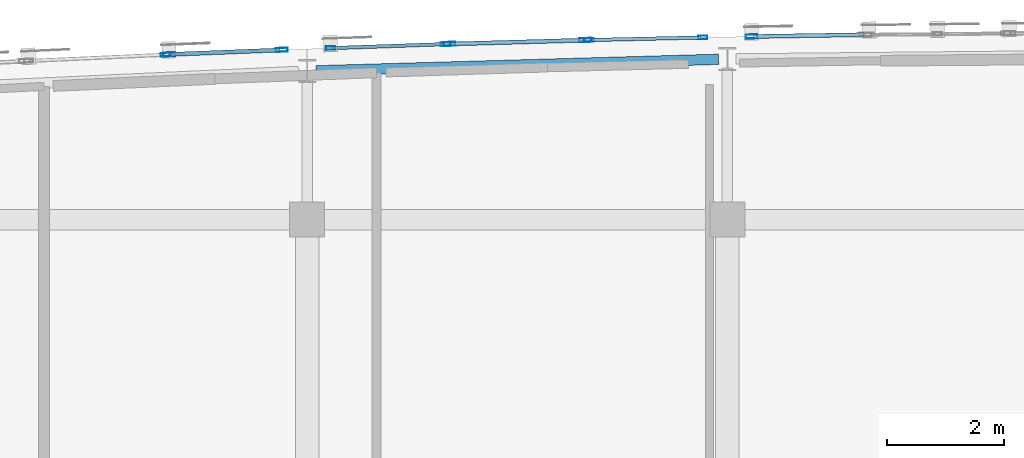
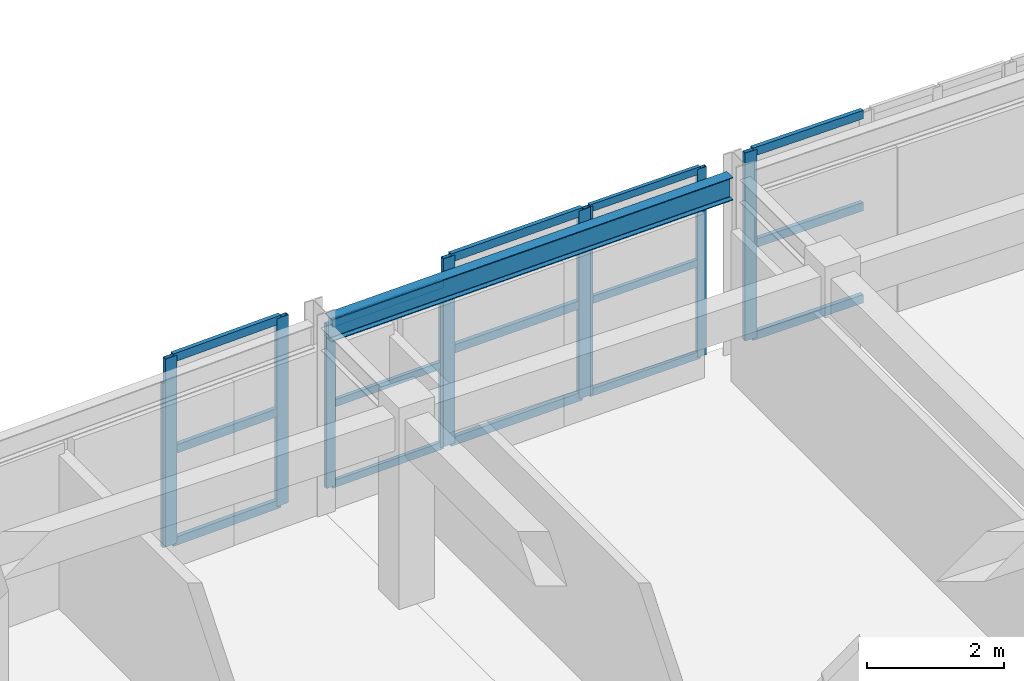
# One storey, part 15 of 51: 25 members, 1 beam, 6 elements without a shape of their own.
"""IFC4 building model written with IfcOpenShell, lengths in metres."""

from ifc_helpers import new_model, si_unit, direction, frame, origin, origin_2d, place, context, subcontext, project, spatial, hollow_rectangle, i_section, extrude, material, layer, layer_set, material_profile, profile_set, type_object, element, aggregate, save


model = new_model("IFC4")

# Units and contexts
model_context = context("Model", 3, precision=1e-05, world=origin(), true_north=direction((0.0, 1.0)))
body_context = subcontext(model_context, "Body", "Model", "MODEL_VIEW")
ifc_project = project(units=[si_unit("LENGTHUNIT", "METRE"), si_unit("AREAUNIT", "SQUARE_METRE"), si_unit("VOLUMEUNIT", "CUBIC_METRE"), si_unit("PLANEANGLEUNIT", "RADIAN"), si_unit("MASSUNIT", "GRAM", prefix="KILO")], contexts=[model_context])

# Site, building, storey
site_placement = place(None, origin())
site = spatial("IfcSite", under=ifc_project, at=site_placement, CompositionType="ELEMENT")
building_placement = place(site_placement, origin())
building = spatial("IfcBuilding", under=site, at=building_placement, Name="Carrowvane Square Congress Hotel", CompositionType="ELEMENT")
storey_placement = place(building_placement, frame((0.0, 0.0, 30.0)))
storey = spatial("IfcBuildingStorey", under=building, at=storey_placement, Name="L07", CompositionType="ELEMENT", Elevation=30.0)

# Beam
ifc_material_1 = material(Name="Steel S355", Category="steel")
ifc_material_profile_1 = material_profile(ifc_material_1, i_section(OverallWidth=0.1787109375, OverallDepth=0.409423828125, WebThickness=0.0087890625, FlangeThickness=0.014404296875, FilletRadius=0.01025390625, at=origin_2d()), Name="UKB 406x178x67")
ifc_profile_set_1 = profile_set([ifc_material_profile_1], Name="Steel S355")
beam_type = type_object("IfcBeamType", Name="BM-ST-UKB406", PredefinedType="BEAM", material=ifc_profile_set_1)
beam_placement = place(storey_placement, frame((83.75, 115.9482421875, 3.1552734375), z_axis=(0.999591595899, 0.028576938382, 0.0), x_axis=(-0.028576938382, 0.999591595899, 0.0)))
element("IfcBeam", 1, at=beam_placement, inside=storey, type_object=beam_type, Name="L08 curved north spandrel", PredefinedType="BEAM", context=body_context, shape_type="SweptSolid", body=[
    extrude(i_section(OverallWidth=0.1787109375, OverallDepth=0.409423828125, WebThickness=0.0087890625, FlangeThickness=0.014404296875, FilletRadius=0.01025390625, at=origin_2d()), origin(), (0.0, 0.0, 1.0), 6.903076171875),
])

# Curtain wall, member
ifc_material_2 = material(Name="Anodised aluminium", Category="aluminium")
ifc_layer_1 = layer(ifc_material_2, 0.162109375)
ifc_layer_set_1 = layer_set([ifc_layer_1], Name="Anodised aluminium")
curtain_wall_type_1 = type_object("IfcCurtainWallType", Name="CW-SYS-1", PredefinedType="NOTDEFINED", material=ifc_layer_set_1)
curtain_wall_1_placement = place(storey_placement, origin())
curtain_wall_1 = element("IfcCurtainWall", 2, at=curtain_wall_1_placement, inside=storey, type_object=curtain_wall_type_1, Name="L07 unitised curtain wall 424", PredefinedType="NOTDEFINED")
ifc_material_3 = material(Name="Anodised aluminium", Category="aluminium")
ifc_material_profile_2 = material_profile(ifc_material_3, hollow_rectangle(XDim=0.06005859375, YDim=0.159912109375, WallThickness=0.00390625, at=origin_2d()), Name="CW-ML 60x160x4")
ifc_profile_set_2 = profile_set([ifc_material_profile_2], Name="Anodised aluminium")
member_type_1 = type_object("IfcMemberType", Name="CW-MUL-1", PredefinedType="MULLION", material=ifc_profile_set_2)
member_1_placement = place(storey_placement, frame((81.170166015625, 116.226318359375, 0.0), z_axis=(0.0, 0.0, 1.0), x_axis=(-0.045411059449, 0.998968385726, 0.0)))
member_1 = element("IfcMember", 3, at=member_1_placement, type_object=member_type_1, Name="CW-1 mullion 2", PredefinedType="MULLION", context=body_context, shape_type="SweptSolid", body=[
    extrude(hollow_rectangle(XDim=0.06005859375, YDim=0.159912109375, WallThickness=0.00390625, at=origin_2d()), origin(), (0.0, 0.0, 1.0), 2.935546875),
])
aggregate(curtain_wall_1, [member_1])

# Curtain wall, members
ifc_material_4 = material(Name="Anodised aluminium", Category="aluminium")
ifc_layer_2 = layer(ifc_material_4, 0.18603515625)
ifc_layer_set_2 = layer_set([ifc_layer_2], Name="Anodised aluminium")
curtain_wall_type_2 = type_object("IfcCurtainWallType", Name="CW-SYS-3", PredefinedType="NOTDEFINED", material=ifc_layer_set_2)
curtain_wall_2_placement = place(storey_placement, origin())
curtain_wall_2 = element("IfcCurtainWall", 4, at=curtain_wall_2_placement, inside=storey, type_object=curtain_wall_type_2, Name="L07 unitised curtain wall 426", PredefinedType="NOTDEFINED")
member_2_placement = place(storey_placement, frame((84.00048828125, 116.337890625, 0.0), z_axis=(0.0, 0.0, 1.0), x_axis=(-0.034526729036, 0.999403774749, 0.0)))
member_2 = element("IfcMember", 5, at=member_2_placement, type_object=member_type_1, Name="CW-3 mullion 1", PredefinedType="MULLION", context=body_context, shape_type="SweptSolid", body=[
    extrude(hollow_rectangle(XDim=0.06005859375, YDim=0.159912109375, WallThickness=0.00390625, at=origin_2d()), origin(), (0.0, 0.0, 1.0), 2.935546875),
])
member_3_placement = place(storey_placement, frame((85.969970703125, 116.406005859375, 0.0), z_axis=(0.0, 0.0, 1.0), x_axis=(-0.034526729036, 0.999403774749, 0.0)))
member_3 = element("IfcMember", 6, at=member_3_placement, type_object=member_type_1, Name="CW-3 mullion 2", PredefinedType="MULLION", context=body_context, shape_type="SweptSolid", body=[
    extrude(hollow_rectangle(XDim=0.06005859375, YDim=0.159912109375, WallThickness=0.00390625, at=origin_2d()), origin(), (0.0, 0.0, 1.0), 2.935546875),
])

ifc_material_5 = material(Name="Anodised aluminium", Category="aluminium")
ifc_layer_3 = layer(ifc_material_5, 0.2099609375)
ifc_layer_set_3 = layer_set([ifc_layer_3], Name="Anodised aluminium")
curtain_wall_type_3 = type_object("IfcCurtainWallType", Name="CW-SYS-5", PredefinedType="NOTDEFINED", material=ifc_layer_set_3)
curtain_wall_3_placement = place(storey_placement, origin())
curtain_wall_3 = element("IfcCurtainWall", 7, at=curtain_wall_3_placement, inside=storey, type_object=curtain_wall_type_3, Name="L07 unitised curtain wall 428", PredefinedType="NOTDEFINED")
member_4_placement = place(storey_placement, frame((88.429931640625, 116.476318359375, 0.0), z_axis=(0.0, 0.0, 1.0), x_axis=(-0.022517686606, 0.99974644475, 0.0)))
member_4 = element("IfcMember", 8, at=member_4_placement, type_object=member_type_1, Name="CW-5 mullion 1", PredefinedType="MULLION", context=body_context, shape_type="SweptSolid", body=[
    extrude(hollow_rectangle(XDim=0.06005859375, YDim=0.159912109375, WallThickness=0.00390625, at=origin_2d()), origin(), (0.0, 0.0, 1.0), 3.360107421875),
])
member_5_placement = place(storey_placement, frame((90.377685546875, 116.520263671875, 0.0), z_axis=(0.0, 0.0, 1.0), x_axis=(-0.022517686606, 0.99974644475, 0.0)))
member_5 = element("IfcMember", 9, at=member_5_placement, type_object=member_type_1, Name="CW-5 mullion 2", PredefinedType="MULLION", context=body_context, shape_type="SweptSolid", body=[
    extrude(hollow_rectangle(XDim=0.06005859375, YDim=0.159912109375, WallThickness=0.00390625, at=origin_2d()), origin(), (0.0, 0.0, 1.0), 3.360107421875),
])

ifc_material_6 = material(Name="Anodised aluminium", Category="aluminium")
ifc_layer_4 = layer(ifc_material_6, 0.174072265625)
ifc_layer_set_4 = layer_set([ifc_layer_4], Name="Anodised aluminium")
curtain_wall_type_4 = type_object("IfcCurtainWallType", Name="CW-SYS-2", PredefinedType="NOTDEFINED", material=ifc_layer_set_4)
curtain_wall_4_placement = place(storey_placement, origin())
curtain_wall_4 = element("IfcCurtainWall", 10, at=curtain_wall_4_placement, inside=storey, type_object=curtain_wall_type_4, Name="L07 unitised curtain wall 425", PredefinedType="NOTDEFINED")
ifc_material_7 = material(Name="Anodised aluminium", Category="aluminium")
ifc_material_profile_3 = material_profile(ifc_material_7, hollow_rectangle(XDim=0.070068359375, YDim=0.199951171875, WallThickness=0.0048828125, at=origin_2d()), Name="CW-ML 70x200x5")
ifc_profile_set_3 = profile_set([ifc_material_profile_3], Name="Anodised aluminium")
member_type_2 = type_object("IfcMemberType", Name="CW-MUL-2", PredefinedType="MULLION", material=ifc_profile_set_3)
member_6_placement = place(storey_placement, frame((81.23486328125, 116.22900390625, 0.0), z_axis=(0.0, 0.0, 1.0), x_axis=(-0.040135742379, 0.999194236464, 0.0)))
member_6 = element("IfcMember", 11, at=member_6_placement, type_object=member_type_2, Name="CW-2 mullion 1", PredefinedType="MULLION", context=body_context, shape_type="SweptSolid", body=[
    extrude(hollow_rectangle(XDim=0.070068359375, YDim=0.199951171875, WallThickness=0.0048828125, at=origin_2d()), origin(), (0.0, 0.0, 1.0), 3.360107421875),
])
member_7_placement = place(storey_placement, frame((83.166015625, 116.306640625, 0.0), z_axis=(0.0, 0.0, 1.0), x_axis=(-0.040135742379, 0.999194236464, 0.0)))
member_7 = element("IfcMember", 12, at=member_7_placement, type_object=member_type_2, Name="CW-2 mullion 2", PredefinedType="MULLION", context=body_context, shape_type="SweptSolid", body=[
    extrude(hollow_rectangle(XDim=0.070068359375, YDim=0.199951171875, WallThickness=0.0048828125, at=origin_2d()), origin(), (0.0, 0.0, 1.0), 3.360107421875),
])

ifc_material_8 = material(Name="Anodised aluminium", Category="aluminium")
ifc_layer_5 = layer(ifc_material_8, 0.197998046875)
ifc_layer_set_5 = layer_set([ifc_layer_5], Name="Anodised aluminium")
curtain_wall_type_5 = type_object("IfcCurtainWallType", Name="CW-SYS-4", PredefinedType="NOTDEFINED", material=ifc_layer_set_5)
curtain_wall_5_placement = place(storey_placement, origin())
curtain_wall_5 = element("IfcCurtainWall", 13, at=curtain_wall_5_placement, inside=storey, type_object=curtain_wall_type_5, Name="L07 unitised curtain wall 427", PredefinedType="NOTDEFINED")
member_8_placement = place(storey_placement, frame((86.034912109375, 116.407958984375, 0.0), z_axis=(0.0, 0.0, 1.0), x_axis=(-0.028638010501, 0.999589848065, 0.0)))
member_8 = element("IfcMember", 14, at=member_8_placement, type_object=member_type_2, Name="CW-4 mullion 1", PredefinedType="MULLION", context=body_context, shape_type="SweptSolid", body=[
    extrude(hollow_rectangle(XDim=0.070068359375, YDim=0.199951171875, WallThickness=0.0048828125, at=origin_2d()), origin(), (0.0, 0.0, 1.0), 3.360107421875),
])
member_9_placement = place(storey_placement, frame((88.364990234375, 116.474609375, 0.0), z_axis=(0.0, 0.0, 1.0), x_axis=(-0.028638010501, 0.999589848065, 0.0)))
member_9 = element("IfcMember", 15, at=member_9_placement, type_object=member_type_2, Name="CW-4 mullion 2", PredefinedType="MULLION", context=body_context, shape_type="SweptSolid", body=[
    extrude(hollow_rectangle(XDim=0.070068359375, YDim=0.199951171875, WallThickness=0.0048828125, at=origin_2d()), origin(), (0.0, 0.0, 1.0), 3.360107421875),
])

# Curtain wall, member
ifc_material_9 = material(Name="Anodised aluminium", Category="aluminium")
ifc_layer_6 = layer(ifc_material_9, 0.221923828125)
ifc_layer_set_6 = layer_set([ifc_layer_6], Name="Anodised aluminium")
curtain_wall_type_6 = type_object("IfcCurtainWallType", Name="CW-SYS-6", PredefinedType="NOTDEFINED", material=ifc_layer_set_6)
curtain_wall_6_placement = place(storey_placement, origin())
curtain_wall_6 = element("IfcCurtainWall", 16, at=curtain_wall_6_placement, inside=storey, type_object=curtain_wall_type_6, Name="L07 unitised curtain wall 429", PredefinedType="NOTDEFINED")
member_10_placement = place(storey_placement, frame((91.212646484375, 116.536376953125, 0.0), z_axis=(0.0, 0.0, 1.0), x_axis=(-0.016215981364, 0.99986851233, 0.0)))
member_10 = element("IfcMember", 17, at=member_10_placement, type_object=member_type_2, Name="CW-6 mullion 1", PredefinedType="MULLION", context=body_context, shape_type="SweptSolid", body=[
    extrude(hollow_rectangle(XDim=0.070068359375, YDim=0.199951171875, WallThickness=0.0048828125, at=origin_2d()), origin(), (0.0, 0.0, 1.0), 3.360107421875),
])

# Member
ifc_material_10 = material(Name="Anodised aluminium", Category="aluminium")
ifc_material_profile_4 = material_profile(ifc_material_10, hollow_rectangle(XDim=0.06005859375, YDim=0.1298828125, WallThickness=0.00390625, at=origin_2d()), Name="CW-TR 60x130x4")
ifc_profile_set_4 = profile_set([ifc_material_profile_4], Name="Anodised aluminium")
member_type_3 = type_object("IfcMemberType", Name="CW-TRN-1", PredefinedType="USERDEFINED", material=ifc_profile_set_4)
member_11_placement = place(storey_placement, frame((84.030517578125, 116.3388671875, 0.030029296875), z_axis=(0.999404632698, 0.034501886054, 0.0), x_axis=(-0.034501886054, 0.999404632698, 0.0)))
member_11 = element("IfcMember", 18, at=member_11_placement, type_object=member_type_3, Name="CW-3 transom 1.1", ObjectType="TRANSOM", PredefinedType="USERDEFINED", context=body_context, shape_type="SweptSolid", body=[
    extrude(hollow_rectangle(XDim=0.06005859375, YDim=0.1298828125, WallThickness=0.00390625, at=origin_2d()), origin(), (0.0, 0.0, 1.0), 1.91064453125),
])

member_12_placement = place(storey_placement, frame((84.030517578125, 116.3388671875, 1.4677734375), z_axis=(0.999404632698, 0.034501886054, 0.0), x_axis=(-0.034501886054, 0.999404632698, 0.0)))
member_12 = element("IfcMember", 19, at=member_12_placement, type_object=member_type_3, Name="CW-3 transom 1.2", ObjectType="TRANSOM", PredefinedType="USERDEFINED", context=body_context, shape_type="SweptSolid", body=[
    extrude(hollow_rectangle(XDim=0.06005859375, YDim=0.1298828125, WallThickness=0.00390625, at=origin_2d()), origin(), (0.0, 0.0, 1.0), 1.91064453125),
])

member_13_placement = place(storey_placement, frame((84.030517578125, 116.3388671875, 2.905517578125), z_axis=(0.999404632698, 0.034501886054, 0.0), x_axis=(-0.034501886054, 0.999404632698, 0.0)))
member_13 = element("IfcMember", 20, at=member_13_placement, type_object=member_type_3, Name="CW-3 transom 1.3", ObjectType="TRANSOM", PredefinedType="USERDEFINED", context=body_context, shape_type="SweptSolid", body=[
    extrude(hollow_rectangle(XDim=0.06005859375, YDim=0.1298828125, WallThickness=0.00390625, at=origin_2d()), origin(), (0.0, 0.0, 1.0), 1.91064453125),
])

aggregate(curtain_wall_2, [member_2, member_3, member_11, member_12, member_13])

member_14_placement = place(storey_placement, frame((88.4599609375, 116.47705078125, 0.030029296875), z_axis=(0.999746883827, 0.022498183883, 0.0), x_axis=(-0.022498183883, 0.999746883827, 0.0)))
member_14 = element("IfcMember", 21, at=member_14_placement, type_object=member_type_3, Name="CW-5 transom 1.1", ObjectType="TRANSOM", PredefinedType="USERDEFINED", context=body_context, shape_type="SweptSolid", body=[
    extrude(hollow_rectangle(XDim=0.06005859375, YDim=0.1298828125, WallThickness=0.00390625, at=origin_2d()), origin(), (0.0, 0.0, 1.0), 1.88818359375),
])

member_15_placement = place(storey_placement, frame((88.4599609375, 116.47705078125, 1.679931640625), z_axis=(0.999746883827, 0.022498183883, 0.0), x_axis=(-0.022498183883, 0.999746883827, 0.0)))
member_15 = element("IfcMember", 22, at=member_15_placement, type_object=member_type_3, Name="CW-5 transom 1.2", ObjectType="TRANSOM", PredefinedType="USERDEFINED", context=body_context, shape_type="SweptSolid", body=[
    extrude(hollow_rectangle(XDim=0.06005859375, YDim=0.1298828125, WallThickness=0.00390625, at=origin_2d()), origin(), (0.0, 0.0, 1.0), 1.88818359375),
])

member_16_placement = place(storey_placement, frame((88.4599609375, 116.47705078125, 3.330078125), z_axis=(0.999746883827, 0.022498183883, 0.0), x_axis=(-0.022498183883, 0.999746883827, 0.0)))
member_16 = element("IfcMember", 23, at=member_16_placement, type_object=member_type_3, Name="CW-5 transom 1.3", ObjectType="TRANSOM", PredefinedType="USERDEFINED", context=body_context, shape_type="SweptSolid", body=[
    extrude(hollow_rectangle(XDim=0.06005859375, YDim=0.1298828125, WallThickness=0.00390625, at=origin_2d()), origin(), (0.0, 0.0, 1.0), 1.88818359375),
])

aggregate(curtain_wall_3, [member_4, member_5, member_14, member_15, member_16])

ifc_material_11 = material(Name="Anodised aluminium", Category="aluminium")
ifc_material_profile_5 = material_profile(ifc_material_11, hollow_rectangle(XDim=0.070068359375, YDim=0.14990234375, WallThickness=0.0048828125, at=origin_2d()), Name="CW-TR 70x150x5")
ifc_profile_set_5 = profile_set([ifc_material_profile_5], Name="Anodised aluminium")
member_type_4 = type_object("IfcMemberType", Name="CW-TRN-2", PredefinedType="USERDEFINED", material=ifc_profile_set_5)
member_17_placement = place(storey_placement, frame((81.27001953125, 116.23046875, 0.034912109375), z_axis=(0.999195295271, 0.040109374308, 0.0), x_axis=(-0.040109374308, 0.999195295271, 0.0)))
member_17 = element("IfcMember", 24, at=member_17_placement, type_object=member_type_4, Name="CW-2 transom 1.1", ObjectType="TRANSOM", PredefinedType="USERDEFINED", context=body_context, shape_type="SweptSolid", body=[
    extrude(hollow_rectangle(XDim=0.070068359375, YDim=0.14990234375, WallThickness=0.0048828125, at=origin_2d()), origin(), (0.0, 0.0, 1.0), 1.862548828125),
])

member_18_placement = place(storey_placement, frame((81.27001953125, 116.23046875, 1.679931640625), z_axis=(0.999195295271, 0.040109374308, 0.0), x_axis=(-0.040109374308, 0.999195295271, 0.0)))
member_18 = element("IfcMember", 25, at=member_18_placement, type_object=member_type_4, Name="CW-2 transom 1.2", ObjectType="TRANSOM", PredefinedType="USERDEFINED", context=body_context, shape_type="SweptSolid", body=[
    extrude(hollow_rectangle(XDim=0.070068359375, YDim=0.14990234375, WallThickness=0.0048828125, at=origin_2d()), origin(), (0.0, 0.0, 1.0), 1.862548828125),
])

member_19_placement = place(storey_placement, frame((81.27001953125, 116.23046875, 3.324951171875), z_axis=(0.999195295271, 0.040109374308, 0.0), x_axis=(-0.040109374308, 0.999195295271, 0.0)))
member_19 = element("IfcMember", 26, at=member_19_placement, type_object=member_type_4, Name="CW-2 transom 1.3", ObjectType="TRANSOM", PredefinedType="USERDEFINED", context=body_context, shape_type="SweptSolid", body=[
    extrude(hollow_rectangle(XDim=0.070068359375, YDim=0.14990234375, WallThickness=0.0048828125, at=origin_2d()), origin(), (0.0, 0.0, 1.0), 1.862548828125),
])

aggregate(curtain_wall_4, [member_6, member_7, member_17, member_18, member_19])

member_20_placement = place(storey_placement, frame((86.070068359375, 116.408935546875, 0.034912109375), z_axis=(0.999590499539, 0.028615262221, 0.0), x_axis=(-0.028615262221, 0.999590499539, 0.0)))
member_20 = element("IfcMember", 27, at=member_20_placement, type_object=member_type_4, Name="CW-4 transom 1.1", ObjectType="TRANSOM", PredefinedType="USERDEFINED", context=body_context, shape_type="SweptSolid", body=[
    extrude(hollow_rectangle(XDim=0.070068359375, YDim=0.14990234375, WallThickness=0.0048828125, at=origin_2d()), origin(), (0.0, 0.0, 1.0), 2.260986328125),
])

member_21_placement = place(storey_placement, frame((86.070068359375, 116.408935546875, 1.679931640625), z_axis=(0.999590499539, 0.028615262221, 0.0), x_axis=(-0.028615262221, 0.999590499539, 0.0)))
member_21 = element("IfcMember", 28, at=member_21_placement, type_object=member_type_4, Name="CW-4 transom 1.2", ObjectType="TRANSOM", PredefinedType="USERDEFINED", context=body_context, shape_type="SweptSolid", body=[
    extrude(hollow_rectangle(XDim=0.070068359375, YDim=0.14990234375, WallThickness=0.0048828125, at=origin_2d()), origin(), (0.0, 0.0, 1.0), 2.260986328125),
])

member_22_placement = place(storey_placement, frame((86.070068359375, 116.408935546875, 3.324951171875), z_axis=(0.999590499539, 0.028615262221, 0.0), x_axis=(-0.028615262221, 0.999590499539, 0.0)))
member_22 = element("IfcMember", 29, at=member_22_placement, type_object=member_type_4, Name="CW-4 transom 1.3", ObjectType="TRANSOM", PredefinedType="USERDEFINED", context=body_context, shape_type="SweptSolid", body=[
    extrude(hollow_rectangle(XDim=0.070068359375, YDim=0.14990234375, WallThickness=0.0048828125, at=origin_2d()), origin(), (0.0, 0.0, 1.0), 2.260986328125),
])

aggregate(curtain_wall_5, [member_8, member_9, member_20, member_21, member_22])

member_23_placement = place(storey_placement, frame((91.24755859375, 116.537109375, 0.034912109375), z_axis=(0.999868599908, 0.016210580414, 0.0), x_axis=(-0.016210580414, 0.999868599908, 0.0)))
member_23 = element("IfcMember", 30, at=member_23_placement, type_object=member_type_4, Name="CW-6 transom 1.1", ObjectType="TRANSOM", PredefinedType="USERDEFINED", context=body_context, shape_type="SweptSolid", body=[
    extrude(hollow_rectangle(XDim=0.070068359375, YDim=0.14990234375, WallThickness=0.0048828125, at=origin_2d()), origin(), (0.0, 0.0, 1.0), 1.882568359375),
])

member_24_placement = place(storey_placement, frame((91.24755859375, 116.537109375, 1.679931640625), z_axis=(0.999868599908, 0.016210580414, 0.0), x_axis=(-0.016210580414, 0.999868599908, 0.0)))
member_24 = element("IfcMember", 31, at=member_24_placement, type_object=member_type_4, Name="CW-6 transom 1.2", ObjectType="TRANSOM", PredefinedType="USERDEFINED", context=body_context, shape_type="SweptSolid", body=[
    extrude(hollow_rectangle(XDim=0.070068359375, YDim=0.14990234375, WallThickness=0.0048828125, at=origin_2d()), origin(), (0.0, 0.0, 1.0), 1.882568359375),
])

member_25_placement = place(storey_placement, frame((91.24755859375, 116.537109375, 3.324951171875), z_axis=(0.999868599908, 0.016210580414, 0.0), x_axis=(-0.016210580414, 0.999868599908, 0.0)))
member_25 = element("IfcMember", 32, at=member_25_placement, type_object=member_type_4, Name="CW-6 transom 1.3", ObjectType="TRANSOM", PredefinedType="USERDEFINED", context=body_context, shape_type="SweptSolid", body=[
    extrude(hollow_rectangle(XDim=0.070068359375, YDim=0.14990234375, WallThickness=0.0048828125, at=origin_2d()), origin(), (0.0, 0.0, 1.0), 1.882568359375),
])

aggregate(curtain_wall_6, [member_10, member_23, member_24, member_25])

save(model, "model.ifc")
